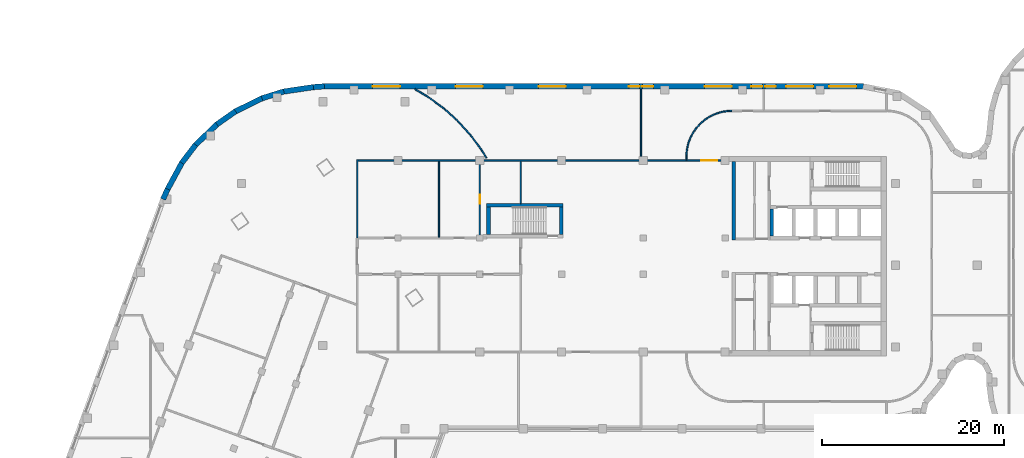
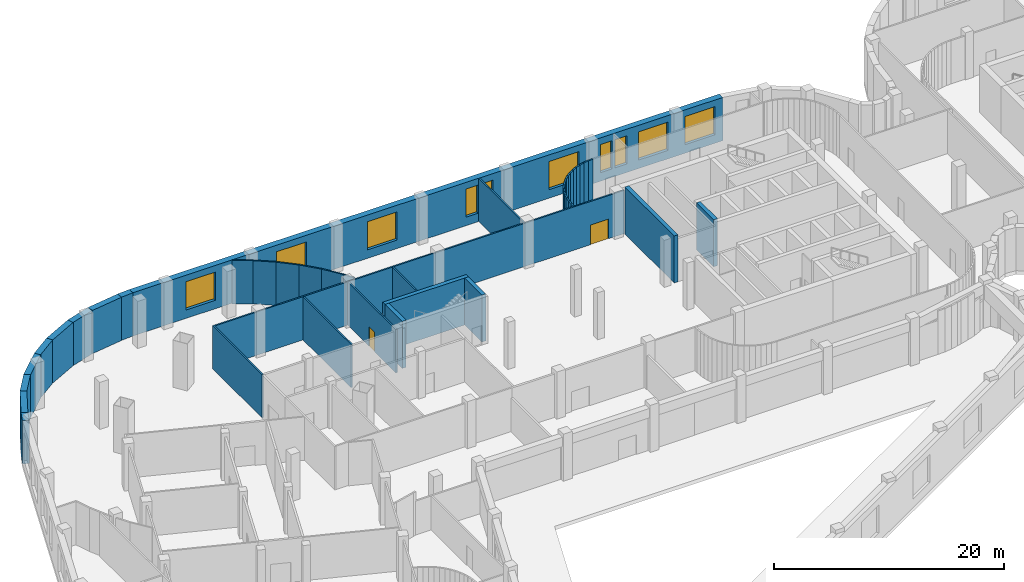
# One storey, part 12 of 20: 44 walls, 10 windows, 2 doors, 12 openings.
"""IFC4 building model written with IfcOpenShell, lengths in metres."""

from ifc_helpers import new_model, si_unit, direction, frame, frame_2d, origin, place, context, subcontext, project, spatial, rectangle, extrude, material, layer, layer_set, type_object, element, fill, save


model = new_model("IFC4")

# Units and contexts
model_context = context("Model", 3, precision=1e-05, world=origin(), true_north=direction((0.0, 1.0)))
body_context = subcontext(model_context, "Body", "Model", "MODEL_VIEW")
ifc_project = project(units=[si_unit("LENGTHUNIT", "METRE"), si_unit("AREAUNIT", "SQUARE_METRE"), si_unit("VOLUMEUNIT", "CUBIC_METRE"), si_unit("PLANEANGLEUNIT", "RADIAN"), si_unit("MASSUNIT", "GRAM", prefix="KILO")], contexts=[model_context])

# Site, building, storey
site_placement = place(None, origin())
site = spatial("IfcSite", under=ifc_project, at=site_placement, CompositionType="ELEMENT")
building_placement = place(site_placement, origin())
building = spatial("IfcBuilding", under=site, at=building_placement, Name="Skarvind Civic Tower", CompositionType="ELEMENT")
storey_placement = place(building_placement, frame((0.0, 0.0, 17.5)))
storey = spatial("IfcBuildingStorey", under=building, at=storey_placement, Name="L03", CompositionType="ELEMENT", Elevation=17.5)

# Walls
ifc_material_1 = material(Name="Concrete C80", Category="concrete")
ifc_layer_1 = layer(ifc_material_1, 0.39990234375)
ifc_layer_set_1 = layer_set([ifc_layer_1], Name="Core wall 400 C80")
wall_type_1 = type_object("IfcWallType", Name="Core wall 400 C80", PredefinedType="SHEAR", material=ifc_layer_set_1)
wall_1_placement = place(storey_placement, frame((95.39990234375, 133.199951171875, 0.0), z_axis=(0.0, 0.0, 1.0), x_axis=(0.0, -1.0, 0.0)))
element("IfcWall", 1, at=wall_1_placement, inside=storey, type_object=wall_type_1, Name="Core wall C1 south lift row division 5 L03", PredefinedType="SHEAR", context=body_context, shape_type="SweptSolid", body=[
    extrude(rectangle(XDim=3.0, YDim=0.39990234375, at=frame_2d((1.5, 0.0))), origin(), (0.0, 0.0, 1.0), 5.0),
])
wall_2_placement = place(storey_placement, frame((91.199951171875, 138.39990234375, 0.0), z_axis=(0.0, 0.0, 1.0), x_axis=(0.0, -1.0, 0.0)))
element("IfcWall", 2, at=wall_2_placement, inside=storey, type_object=wall_type_1, Name="Core wall C1 south inner face L03", PredefinedType="SHEAR", context=body_context, shape_type="SweptSolid", body=[
    extrude(rectangle(XDim=8.599853515625, YDim=0.39990234375, at=frame_2d((4.2998046875, 0.0))), origin(), (0.0, 0.0, 1.0), 5.0),
])
wall_3_placement = place(storey_placement, frame((64.0, 133.60009765625, 0.0), z_axis=(0.0, 0.0, 1.0), x_axis=(1.0, 0.0, 0.0)))
element("IfcWall", 3, at=wall_3_placement, inside=storey, type_object=wall_type_1, Name="Core wall CM outer L03", PredefinedType="SHEAR", context=body_context, shape_type="SweptSolid", body=[
    extrude(rectangle(XDim=8.39990234375, YDim=0.39990234375, at=frame_2d((4.199951171875, 0.0))), origin(), (0.0, 0.0, 1.0), 5.0),
])
for number, where, z_axis, x_axis, name in (
    (4, (64.199951171875, 130.39990234375, 0.0), (0.0, 0.0, 1.0), (0.0, 1.0, 0.0), "Core wall CM west L03"),
    (5, (72.199951171875, 130.39990234375, 0.0), (0.0, 0.0, 1.0), (0.0, 1.0, 0.0), "Core wall CM end L03"),
):
    element("IfcWall", number, at=place(storey_placement, frame(where, z_axis=z_axis, x_axis=x_axis)), inside=storey, type_object=wall_type_1, Name=name, PredefinedType="SHEAR", context=body_context, shape_type="SweptSolid", body=[
        extrude(rectangle(XDim=3.0, YDim=0.39990234375, at=frame_2d((1.5, 0.0))), origin(), (0.0, 0.0, 1.0), 5.0),
    ])
ifc_material_2 = material(Name="Plasterboard partition on steel studs", Category="steel")
ifc_layer_2 = layer(ifc_material_2, 0.14990234375)
ifc_layer_set_2 = layer_set([ifc_layer_2], Name="PARTITION 150")
wall_type_2 = type_object("IfcWallType", Name="PARTITION 150", PredefinedType="PARTITIONING", material=ifc_layer_set_2)
wall_4_placement = place(storey_placement, frame((49.75, 130.0, 0.0), z_axis=(0.0, 0.0, 1.0), x_axis=(0.0, 1.0, 0.0)))
element("IfcWall", 6, at=wall_4_placement, inside=storey, type_object=wall_type_2, Name="Podium partition L03 112", PredefinedType="PARTITIONING", context=body_context, shape_type="SweptSolid", body=[
    extrude(rectangle(XDim=8.625, YDim=0.14990234375, at=frame_2d((4.3125, 0.0))), origin(), (0.0, 0.0, 1.0), 4.60009765625),
])

# Wall, opening, door
wall_5_placement = place(storey_placement, frame((49.824951171875, 138.550048828125, 0.0), z_axis=(0.0, 0.0, 1.0), x_axis=(1.0, 0.0, 0.0)))
wall_5 = element("IfcWall", 7, at=wall_5_placement, inside=storey, type_object=wall_type_2, Name="Podium partition L03 114", PredefinedType="PARTITIONING", context=body_context, shape_type="SweptSolid", body=[
    extrude(rectangle(XDim=41.175048828125, YDim=0.14990234375, at=frame_2d((20.58740234375, 0.0))), origin(), (0.0, 0.0, 1.0), 4.60009765625),
])
opening_1_placement = place(wall_5_placement, frame((37.77490234375, 0.0, 0.0)))
opening_1 = element("IfcOpeningElement", 8, at=opening_1_placement, cuts=wall_5, Name="Opening L03-D225", PredefinedType="OPENING", context=body_context, shape_type="SweptSolid", body=[
    extrude(rectangle(XDim=1.800048828125, YDim=2.10009765625, at=frame_2d((0.89990234375, 1.050048828125))), frame((0.0, 0.0849609375, 0.0), z_axis=(0.0, -1.0, 0.0), x_axis=(1.0, 0.0, 0.0)), (0.0, 0.0, 1.0), 0.169921875),
])
ifc_material_3 = material(Name="Timber veneer door leaf", Category="wood")
door_type_1 = type_object("IfcDoorType", Name="DOOR 1800X2100 DOUBLE TIMBER", OperationType="NOTDEFINED", PredefinedType="DOOR", material=ifc_material_3)
door_1_placement = place(opening_1_placement, origin())
door_1 = element("IfcDoor", 9, at=door_1_placement, inside=storey, type_object=door_type_1, Name="DOOR DOOR", OperationType="DOUBLE_DOOR_SINGLE_SWING", OverallHeight=2.10009765625, OverallWidth=1.800048828125, PredefinedType="DOOR", context=body_context, shape_type="SweptSolid", body=[
    extrude(rectangle(XDim=1.800048828125, YDim=2.10009765625, at=frame_2d((0.89990234375, 1.050048828125))), frame((0.0, 0.02490234375, 0.0), z_axis=(0.0, -1.0, 0.0), x_axis=(1.0, 0.0, 0.0)), (0.0, 0.0, 1.0), 0.050048828125),
])
fill(opening_1, door_1)

# Walls
wall_6_placement = place(storey_placement, frame((56.10009765625, 146.39990234375, 0.0), z_axis=(0.0, 0.0, 1.0), x_axis=(0.857728238456, -0.514103364076, 0.0)))
element("IfcWall", 10, at=wall_6_placement, inside=storey, type_object=wall_type_2, Name="Podium partition L03 130", PredefinedType="PARTITIONING", context=body_context, shape_type="SweptSolid", body=[
    extrude(rectangle(XDim=1.830322265625, YDim=0.14990234375, at=frame_2d((0.9150390625, 0.0))), origin(), (0.0, 0.0, 1.0), 4.60009765625),
])
wall_7_placement = place(storey_placement, frame((57.6640625, 145.462890625, 0.0), z_axis=(0.0, 0.0, 1.0), x_axis=(0.80317638599, -0.595741297031, 0.0)))
element("IfcWall", 11, at=wall_7_placement, inside=storey, type_object=wall_type_2, Name="Podium partition L03 131", PredefinedType="PARTITIONING", context=body_context, shape_type="SweptSolid", body=[
    extrude(rectangle(XDim=2.06787109375, YDim=0.14990234375, at=frame_2d((1.033935546875, 0.0))), origin(), (0.0, 0.0, 1.0), 4.60009765625),
])
wall_8_placement = place(storey_placement, frame((58.75, 130.10009765625, 0.0), z_axis=(0.0, 0.0, 1.0), x_axis=(0.0, 1.0, 0.0)))
element("IfcWall", 12, at=wall_8_placement, inside=storey, type_object=wall_type_2, Name="Podium partition L03 133", PredefinedType="PARTITIONING", context=body_context, shape_type="SweptSolid", body=[
    extrude(rectangle(XDim=8.375, YDim=0.14990234375, at=frame_2d((4.1875, 0.0))), origin(), (0.0, 0.0, 1.0), 4.60009765625),
])
for number, where, z_axis, x_axis, name in (
    (13, (59.319091796875, 144.235107421875, 0.0), (0.0, 0.0, 1.0), (0.741242052621, -0.671237826278, 0.0), "Podium partition L03 135"),
    (14, (60.846923828125, 142.85205078125, 0.0), (0.0, 0.0, 1.0), (0.671237826278, -0.741242052621, 0.0), "Podium partition L03 136"),
):
    element("IfcWall", number, at=place(storey_placement, frame(where, z_axis=z_axis, x_axis=x_axis)), inside=storey, type_object=wall_type_2, Name=name, PredefinedType="PARTITIONING", context=body_context, shape_type="SweptSolid", body=[
        extrude(rectangle(XDim=2.068115234375, YDim=0.14990234375, at=frame_2d((1.0341796875, 0.0))), origin(), (0.0, 0.0, 1.0), 4.60009765625),
    ])
wall_9_placement = place(storey_placement, frame((62.23095703125, 141.324951171875, 0.0), z_axis=(0.0, 0.0, 1.0), x_axis=(0.595741297031, -0.80317638599, 0.0)))
element("IfcWall", 15, at=wall_9_placement, inside=storey, type_object=wall_type_2, Name="Podium partition L03 137", PredefinedType="PARTITIONING", context=body_context, shape_type="SweptSolid", body=[
    extrude(rectangle(XDim=2.06787109375, YDim=0.14990234375, at=frame_2d((1.033935546875, 0.0))), origin(), (0.0, 0.0, 1.0), 4.60009765625),
])

# Wall, opening, door
wall_10_placement = place(storey_placement, frame((63.25, 130.10009765625, 0.0), z_axis=(0.0, 0.0, 1.0), x_axis=(0.0, 1.0, 0.0)))
wall_10 = element("IfcWall", 16, at=wall_10_placement, inside=storey, type_object=wall_type_2, Name="Podium partition L03 138", PredefinedType="PARTITIONING", context=body_context, shape_type="SweptSolid", body=[
    extrude(rectangle(XDim=8.375, YDim=0.14990234375, at=frame_2d((4.1875, 0.0))), origin(), (0.0, 0.0, 1.0), 4.60009765625),
])
opening_2_placement = place(wall_10_placement, frame((3.675048828125, 0.0, 0.0)))
opening_2 = element("IfcOpeningElement", 17, at=opening_2_placement, cuts=wall_10, Name="Opening L03-D220", PredefinedType="OPENING", context=body_context, shape_type="SweptSolid", body=[
    extrude(rectangle(XDim=1.0, YDim=2.10009765625, at=frame_2d((0.5, 1.050048828125))), frame((0.0, 0.0849609375, 0.0), z_axis=(0.0, -1.0, 0.0), x_axis=(1.0, 0.0, 0.0)), (0.0, 0.0, 1.0), 0.169921875),
])
door_type_2 = type_object("IfcDoorType", Name="DOOR 1000X2100 TIMBER", OperationType="NOTDEFINED", PredefinedType="DOOR", material=ifc_material_3)
door_2_placement = place(opening_2_placement, origin())
door_2 = element("IfcDoor", 18, at=door_2_placement, inside=storey, type_object=door_type_2, Name="DOOR DOOR", OperationType="SINGLE_SWING_LEFT", OverallHeight=2.10009765625, OverallWidth=1.0, PredefinedType="DOOR", context=body_context, shape_type="SweptSolid", body=[
    extrude(rectangle(XDim=1.0, YDim=2.10009765625, at=frame_2d((0.5, 1.050048828125))), frame((0.0, 0.02490234375, 0.0), z_axis=(0.0, -1.0, 0.0), x_axis=(1.0, 0.0, 0.0)), (0.0, 0.0, 1.0), 0.050048828125),
])
fill(opening_2, door_2)

# Walls
wall_11_placement = place(storey_placement, frame((63.458984375, 139.669921875, 0.0), z_axis=(0.0, 0.0, 1.0), x_axis=(0.514106720628, -0.857726226604, 0.0)))
element("IfcWall", 19, at=wall_11_placement, inside=storey, type_object=wall_type_2, Name="Podium partition L03 139", PredefinedType="PARTITIONING", context=body_context, shape_type="SweptSolid", body=[
    extrude(rectangle(XDim=1.015380859375, YDim=0.14990234375, at=frame_2d((0.5078125, 0.0))), origin(), (0.0, 0.0, 1.0), 4.60009765625),
])
wall_12_placement = place(storey_placement, frame((67.75, 133.800048828125, 0.0), z_axis=(0.0, 0.0, 1.0), x_axis=(0.0, 1.0, 0.0)))
element("IfcWall", 20, at=wall_12_placement, inside=storey, type_object=wall_type_2, Name="Podium partition L03 146", PredefinedType="PARTITIONING", context=body_context, shape_type="SweptSolid", body=[
    extrude(rectangle(XDim=4.675048828125, YDim=0.14990234375, at=frame_2d((2.33740234375, 0.0))), origin(), (0.0, 0.0, 1.0), 4.60009765625),
])
wall_13_placement = place(storey_placement, frame((81.0, 138.625, 0.0), z_axis=(0.0, 0.0, 1.0), x_axis=(0.0, 1.0, 0.0)))
element("IfcWall", 21, at=wall_13_placement, inside=storey, type_object=wall_type_2, Name="Podium partition L03 150", PredefinedType="PARTITIONING", context=body_context, shape_type="SweptSolid", body=[
    extrude(rectangle(XDim=7.77490234375, YDim=0.14990234375, at=frame_2d((3.887451171875, 0.0))), origin(), (0.0, 0.0, 1.0), 4.60009765625),
])
wall_14_placement = place(storey_placement, frame((86.0, 138.625, 0.0), z_axis=(0.0, 0.0, 1.0), x_axis=(0.0, 1.0, 0.0)))
element("IfcWall", 22, at=wall_14_placement, inside=storey, type_object=wall_type_2, Name="Podium partition L03 153", PredefinedType="PARTITIONING", context=body_context, shape_type="SweptSolid", body=[
    extrude(rectangle(XDim=0.376953125, YDim=0.14990234375, at=frame_2d((0.1884765625, 0.0))), origin(), (0.0, 0.0, 1.0), 4.60009765625),
])
wall_15_placement = place(storey_placement, frame((86.0, 138.998046875, 0.0), z_axis=(0.0, 0.0, 1.0), x_axis=(0.048196018647, 0.998837896651, 0.0)))
element("IfcWall", 23, at=wall_15_placement, inside=storey, type_object=wall_type_2, Name="Podium partition L03 154", PredefinedType="PARTITIONING", context=body_context, shape_type="SweptSolid", body=[
    extrude(rectangle(XDim=0.496337890625, YDim=0.14990234375, at=frame_2d((0.248046875, 0.0))), origin(), (0.0, 0.0, 1.0), 4.60009765625),
])
wall_16_placement = place(storey_placement, frame((86.02294921875, 139.486083984375, 0.0), z_axis=(0.0, 0.0, 1.0), x_axis=(0.148412307247, 0.988925572052, 0.0)))
element("IfcWall", 24, at=wall_16_placement, inside=storey, type_object=wall_type_2, Name="Podium partition L03 156", PredefinedType="PARTITIONING", context=body_context, shape_type="SweptSolid", body=[
    extrude(rectangle(XDim=0.49853515625, YDim=0.14990234375, at=frame_2d((0.249267578125, 0.0))), origin(), (0.0, 0.0, 1.0), 4.60009765625),
])
wall_17_placement = place(storey_placement, frame((86.094970703125, 139.970947265625, 0.0), z_axis=(0.0, 0.0, 1.0), x_axis=(0.242650732785, 0.970113715952, 0.0)))
element("IfcWall", 25, at=wall_17_placement, inside=storey, type_object=wall_type_2, Name="Podium partition L03 158", PredefinedType="PARTITIONING", context=body_context, shape_type="SweptSolid", body=[
    extrude(rectangle(XDim=0.4990234375, YDim=0.14990234375, at=frame_2d((0.24951171875, 0.0))), origin(), (0.0, 0.0, 1.0), 4.60009765625),
])
for number, where, z_axis, x_axis, name in (
    (26, (86.214111328125, 140.447021484375, 0.0), (0.0, 0.0, 1.0), (0.3371744988, 0.941442168887, 0.0), "Podium partition L03 160"),
    (27, (86.37890625, 140.909912109375, 0.0), (0.0, 0.0, 1.0), (0.427896709028, 0.903827641978, 0.0), "Podium partition L03 162"),
):
    element("IfcWall", number, at=place(storey_placement, frame(where, z_axis=z_axis, x_axis=x_axis)), inside=storey, type_object=wall_type_2, Name=name, PredefinedType="PARTITIONING", context=body_context, shape_type="SweptSolid", body=[
        extrude(rectangle(XDim=0.498046875, YDim=0.14990234375, at=frame_2d((0.2490234375, 0.0))), origin(), (0.0, 0.0, 1.0), 4.60009765625),
    ])
wall_18_placement = place(storey_placement, frame((86.587890625, 141.35400390625, 0.0), z_axis=(0.0, 0.0, 1.0), x_axis=(0.515791778052, 0.85671397893, 0.0)))
element("IfcWall", 28, at=wall_18_placement, inside=storey, type_object=wall_type_2, Name="Podium partition L03 164", PredefinedType="PARTITIONING", context=body_context, shape_type="SweptSolid", body=[
    extrude(rectangle(XDim=0.49853515625, YDim=0.14990234375, at=frame_2d((0.249267578125, 0.0))), origin(), (0.0, 0.0, 1.0), 4.60009765625),
])
wall_19_placement = place(storey_placement, frame((86.841064453125, 141.77490234375, 0.0), z_axis=(0.0, 0.0, 1.0), x_axis=(0.594570362092, 0.80404358372, 0.0)))
element("IfcWall", 29, at=wall_19_placement, inside=storey, type_object=wall_type_2, Name="Podium partition L03 166", PredefinedType="PARTITIONING", context=body_context, shape_type="SweptSolid", body=[
    extrude(rectangle(XDim=0.49755859375, YDim=0.14990234375, at=frame_2d((0.248779296875, 0.0))), origin(), (0.0, 0.0, 1.0), 4.60009765625),
])
for number, where, z_axis, x_axis, name in (
    (30, (87.133056640625, 142.1689453125, 0.0), (0.0, 0.0, 1.0), (0.66993818776, 0.742416880587, 0.0), "Podium partition L03 168"),
    (31, (87.4609375, 142.532958984375, 0.0), (0.0, 0.0, 1.0), (0.742416880587, 0.66993818776, 0.0), "Podium partition L03 170"),
):
    element("IfcWall", number, at=place(storey_placement, frame(where, z_axis=z_axis, x_axis=x_axis)), inside=storey, type_object=wall_type_2, Name=name, PredefinedType="PARTITIONING", context=body_context, shape_type="SweptSolid", body=[
        extrude(rectangle(XDim=0.49853515625, YDim=0.14990234375, at=frame_2d((0.249267578125, 0.0))), origin(), (0.0, 0.0, 1.0), 4.60009765625),
    ])
wall_20_placement = place(storey_placement, frame((87.824951171875, 142.863037109375, 0.0), z_axis=(0.0, 0.0, 1.0), x_axis=(0.80404358372, 0.594570362092, 0.0)))
element("IfcWall", 32, at=wall_20_placement, inside=storey, type_object=wall_type_2, Name="Podium partition L03 172", PredefinedType="PARTITIONING", context=body_context, shape_type="SweptSolid", body=[
    extrude(rectangle(XDim=0.49755859375, YDim=0.14990234375, at=frame_2d((0.248779296875, 0.0))), origin(), (0.0, 0.0, 1.0), 4.60009765625),
])
wall_21_placement = place(storey_placement, frame((88.218994140625, 143.155029296875, 0.0), z_axis=(0.0, 0.0, 1.0), x_axis=(0.85671397893, 0.515791778052, 0.0)))
element("IfcWall", 33, at=wall_21_placement, inside=storey, type_object=wall_type_2, Name="Podium partition L03 174", PredefinedType="PARTITIONING", context=body_context, shape_type="SweptSolid", body=[
    extrude(rectangle(XDim=0.49853515625, YDim=0.14990234375, at=frame_2d((0.249267578125, 0.0))), origin(), (0.0, 0.0, 1.0), 4.60009765625),
])
for number, where, z_axis, x_axis, name in (
    (34, (88.639892578125, 143.407958984375, 0.0), (0.0, 0.0, 1.0), (0.903827641978, 0.427896709028, 0.0), "Podium partition L03 176"),
    (35, (89.083984375, 143.617919921875, 0.0), (0.0, 0.0, 1.0), (0.941442168887, 0.3371744988, 0.0), "Podium partition L03 178"),
):
    element("IfcWall", number, at=place(storey_placement, frame(where, z_axis=z_axis, x_axis=x_axis)), inside=storey, type_object=wall_type_2, Name=name, PredefinedType="PARTITIONING", context=body_context, shape_type="SweptSolid", body=[
        extrude(rectangle(XDim=0.498046875, YDim=0.14990234375, at=frame_2d((0.2490234375, 0.0))), origin(), (0.0, 0.0, 1.0), 4.60009765625),
    ])
wall_22_placement = place(storey_placement, frame((89.544921875, 143.783935546875, 0.0), z_axis=(0.0, 0.0, 1.0), x_axis=(0.970113715952, 0.242650732785, 0.0)))
element("IfcWall", 36, at=wall_22_placement, inside=storey, type_object=wall_type_2, Name="Podium partition L03 180", PredefinedType="PARTITIONING", context=body_context, shape_type="SweptSolid", body=[
    extrude(rectangle(XDim=0.4990234375, YDim=0.14990234375, at=frame_2d((0.24951171875, 0.0))), origin(), (0.0, 0.0, 1.0), 4.60009765625),
])
wall_23_placement = place(storey_placement, frame((90.02099609375, 143.903076171875, 0.0), z_axis=(0.0, 0.0, 1.0), x_axis=(0.988925572052, 0.148412307247, 0.0)))
element("IfcWall", 37, at=wall_23_placement, inside=storey, type_object=wall_type_2, Name="Podium partition L03 182", PredefinedType="PARTITIONING", context=body_context, shape_type="SweptSolid", body=[
    extrude(rectangle(XDim=0.49853515625, YDim=0.14990234375, at=frame_2d((0.249267578125, 0.0))), origin(), (0.0, 0.0, 1.0), 4.60009765625),
])
wall_24_placement = place(storey_placement, frame((90.506103515625, 143.97607421875, 0.0), z_axis=(0.0, 0.0, 1.0), x_axis=(0.998837896651, 0.048196018647, 0.0)))
element("IfcWall", 38, at=wall_24_placement, inside=storey, type_object=wall_type_2, Name="Podium partition L03 184", PredefinedType="PARTITIONING", context=body_context, shape_type="SweptSolid", body=[
    extrude(rectangle(XDim=0.496337890625, YDim=0.14990234375, at=frame_2d((0.248046875, 0.0))), origin(), (0.0, 0.0, 1.0), 4.60009765625),
])

# Wall, openings, windows
ifc_material_4 = material(Name="Limestone masonry cladding on insulated backing", Category="masonry")
ifc_layer_3 = layer(ifc_material_4, 0.60009765625)
ifc_layer_set_3 = layer_set([ifc_layer_3], Name="WX1 STONE FACADE WALL 600")
wall_type_3 = type_object("IfcWallType", Name="WX1 STONE FACADE WALL 600", PredefinedType="SOLIDWALL", material=ifc_layer_set_3)
wall_25_placement = place(storey_placement, frame((46.114013671875, 146.699951171875, 0.0), z_axis=(0.0, 0.0, 1.0), x_axis=(1.0, 0.0, 0.0)))
wall_25 = element("IfcWall", 39, at=wall_25_placement, inside=storey, type_object=wall_type_3, Name="STONE FACADE WALL", PredefinedType="SOLIDWALL", context=body_context, shape_type="SweptSolid", body=[
    extrude(rectangle(XDim=59.3642578125, YDim=0.60009765625, at=frame_2d((29.68212890625, 0.0))), origin(), (0.0, 0.0, 1.0), 4.60009765625),
])
opening_3_placement = place(wall_25_placement, frame((5.349609375, 0.0, 0.89990234375)))
opening_3 = element("IfcOpeningElement", 40, at=opening_3_placement, cuts=wall_25, Name="Opening WN2", PredefinedType="OPENING", context=body_context, shape_type="SweptSolid", body=[
    extrude(rectangle(XDim=3.0, YDim=3.0, at=frame_2d((1.5, 1.5))), frame((0.0, 0.31005859375, 0.0), z_axis=(0.0, -1.0, 0.0), x_axis=(1.0, 0.0, 0.0)), (0.0, 0.0, 1.0), 0.6201171875),
])
opening_4_placement = place(wall_25_placement, frame((14.482666015625, 0.0, 0.89990234375)))
opening_4 = element("IfcOpeningElement", 41, at=opening_4_placement, cuts=wall_25, Name="Opening WN2", PredefinedType="OPENING", context=body_context, shape_type="SweptSolid", body=[
    extrude(rectangle(XDim=3.0, YDim=3.0, at=frame_2d((1.5, 1.5))), frame((0.0, 0.31005859375, 0.0), z_axis=(0.0, -1.0, 0.0), x_axis=(1.0, 0.0, 0.0)), (0.0, 0.0, 1.0), 0.6201171875),
])
opening_5_placement = place(wall_25_placement, frame((23.615478515625, 0.0, 0.89990234375)))
opening_5 = element("IfcOpeningElement", 42, at=opening_5_placement, cuts=wall_25, Name="Opening WN2", PredefinedType="OPENING", context=body_context, shape_type="SweptSolid", body=[
    extrude(rectangle(XDim=3.0, YDim=3.0, at=frame_2d((1.5, 1.5))), frame((0.0, 0.31005859375, 0.0), z_axis=(0.0, -1.0, 0.0), x_axis=(1.0, 0.0, 0.0)), (0.0, 0.0, 1.0), 0.6201171875),
])
opening_6_placement = place(wall_25_placement, frame((33.5361328125, 0.0, 0.89990234375)))
opening_6 = element("IfcOpeningElement", 43, at=opening_6_placement, cuts=wall_25, Name="Opening WN6", PredefinedType="OPENING", context=body_context, shape_type="SweptSolid", body=[
    extrude(rectangle(XDim=1.199951171875, YDim=3.0, at=frame_2d((0.60009765625, 1.5))), frame((0.0, 0.31005859375, 0.0), z_axis=(0.0, -1.0, 0.0), x_axis=(1.0, 0.0, 0.0)), (0.0, 0.0, 1.0), 0.6201171875),
])
opening_7_placement = place(wall_25_placement, frame((35.0361328125, 0.0, 0.89990234375)))
opening_7 = element("IfcOpeningElement", 44, at=opening_7_placement, cuts=wall_25, Name="Opening WN6", PredefinedType="OPENING", context=body_context, shape_type="SweptSolid", body=[
    extrude(rectangle(XDim=1.199951171875, YDim=3.0, at=frame_2d((0.60009765625, 1.5))), frame((0.0, 0.31005859375, 0.0), z_axis=(0.0, -1.0, 0.0), x_axis=(1.0, 0.0, 0.0)), (0.0, 0.0, 1.0), 0.6201171875),
])
opening_8_placement = place(wall_25_placement, frame((41.881591796875, 0.0, 0.89990234375)))
opening_8 = element("IfcOpeningElement", 45, at=opening_8_placement, cuts=wall_25, Name="Opening WN2", PredefinedType="OPENING", context=body_context, shape_type="SweptSolid", body=[
    extrude(rectangle(XDim=3.0, YDim=3.0, at=frame_2d((1.5, 1.5))), frame((0.0, 0.31005859375, 0.0), z_axis=(0.0, -1.0, 0.0), x_axis=(1.0, 0.0, 0.0)), (0.0, 0.0, 1.0), 0.6201171875),
])
opening_9_placement = place(wall_25_placement, frame((47.0361328125, 0.0, 0.89990234375)))
opening_9 = element("IfcOpeningElement", 46, at=opening_9_placement, cuts=wall_25, Name="Opening WN6", PredefinedType="OPENING", context=body_context, shape_type="SweptSolid", body=[
    extrude(rectangle(XDim=1.199951171875, YDim=3.0, at=frame_2d((0.60009765625, 1.5))), frame((0.0, 0.31005859375, 0.0), z_axis=(0.0, -1.0, 0.0), x_axis=(1.0, 0.0, 0.0)), (0.0, 0.0, 1.0), 0.6201171875),
])
opening_10_placement = place(wall_25_placement, frame((48.5361328125, 0.0, 0.89990234375)))
opening_10 = element("IfcOpeningElement", 47, at=opening_10_placement, cuts=wall_25, Name="Opening WN6", PredefinedType="OPENING", context=body_context, shape_type="SweptSolid", body=[
    extrude(rectangle(XDim=1.199951171875, YDim=3.0, at=frame_2d((0.60009765625, 1.5))), frame((0.0, 0.31005859375, 0.0), z_axis=(0.0, -1.0, 0.0), x_axis=(1.0, 0.0, 0.0)), (0.0, 0.0, 1.0), 0.6201171875),
])
opening_11_placement = place(wall_25_placement, frame((50.864501953125, 0.0, 0.89990234375)))
opening_11 = element("IfcOpeningElement", 48, at=opening_11_placement, cuts=wall_25, Name="Opening WN2", PredefinedType="OPENING", context=body_context, shape_type="SweptSolid", body=[
    extrude(rectangle(XDim=3.0, YDim=3.0, at=frame_2d((1.5, 1.5))), frame((0.0, 0.31005859375, 0.0), z_axis=(0.0, -1.0, 0.0), x_axis=(1.0, 0.0, 0.0)), (0.0, 0.0, 1.0), 0.6201171875),
])
opening_12_placement = place(wall_25_placement, frame((55.5810546875, 0.0, 0.89990234375)))
opening_12 = element("IfcOpeningElement", 49, at=opening_12_placement, cuts=wall_25, Name="Opening WN2", PredefinedType="OPENING", context=body_context, shape_type="SweptSolid", body=[
    extrude(rectangle(XDim=3.0, YDim=3.0, at=frame_2d((1.5, 1.5))), frame((0.0, 0.31005859375, 0.0), z_axis=(0.0, -1.0, 0.0), x_axis=(1.0, 0.0, 0.0)), (0.0, 0.0, 1.0), 0.6201171875),
])
ifc_material_5 = material(Name="Timber frame, double glazing, timber-lined reveal", Category="wood")
window_type_1 = type_object("IfcWindowType", Name="WN2 PODIUM STONE WINDOW 3000 x 3000", PartitioningType="SINGLE_PANEL", PredefinedType="WINDOW", material=ifc_material_5)
window_1_placement = place(opening_3_placement, origin())
window_1 = element("IfcWindow", 50, at=window_1_placement, inside=storey, type_object=window_type_1, Name="WN2 WINDOW", OverallHeight=3.0, OverallWidth=3.0, PartitioningType="SINGLE_PANEL", PredefinedType="WINDOW", context=body_context, shape_type="SweptSolid", body=[
    extrude(rectangle(XDim=3.0, YDim=3.0, at=frame_2d((1.5, 1.5))), frame((0.0, 0.030029296875, 0.0), z_axis=(0.0, -1.0, 0.0), x_axis=(1.0, 0.0, 0.0)), (0.0, 0.0, 1.0), 0.06005859375),
])
fill(opening_3, window_1)
window_2_placement = place(opening_4_placement, origin())
window_2 = element("IfcWindow", 51, at=window_2_placement, inside=storey, type_object=window_type_1, Name="WN2 WINDOW", OverallHeight=3.0, OverallWidth=3.0, PartitioningType="SINGLE_PANEL", PredefinedType="WINDOW", context=body_context, shape_type="SweptSolid", body=[
    extrude(rectangle(XDim=3.0, YDim=3.0, at=frame_2d((1.5, 1.5))), frame((0.0, 0.030029296875, 0.0), z_axis=(0.0, -1.0, 0.0), x_axis=(1.0, 0.0, 0.0)), (0.0, 0.0, 1.0), 0.06005859375),
])
fill(opening_4, window_2)
window_3_placement = place(opening_5_placement, origin())
window_3 = element("IfcWindow", 52, at=window_3_placement, inside=storey, type_object=window_type_1, Name="WN2 WINDOW", OverallHeight=3.0, OverallWidth=3.0, PartitioningType="SINGLE_PANEL", PredefinedType="WINDOW", context=body_context, shape_type="SweptSolid", body=[
    extrude(rectangle(XDim=3.0, YDim=3.0, at=frame_2d((1.5, 1.5))), frame((0.0, 0.030029296875, 0.0), z_axis=(0.0, -1.0, 0.0), x_axis=(1.0, 0.0, 0.0)), (0.0, 0.0, 1.0), 0.06005859375),
])
fill(opening_5, window_3)
window_4_placement = place(opening_8_placement, origin())
window_4 = element("IfcWindow", 53, at=window_4_placement, inside=storey, type_object=window_type_1, Name="WN2 WINDOW", OverallHeight=3.0, OverallWidth=3.0, PartitioningType="SINGLE_PANEL", PredefinedType="WINDOW", context=body_context, shape_type="SweptSolid", body=[
    extrude(rectangle(XDim=3.0, YDim=3.0, at=frame_2d((1.5, 1.5))), frame((0.0, 0.030029296875, 0.0), z_axis=(0.0, -1.0, 0.0), x_axis=(1.0, 0.0, 0.0)), (0.0, 0.0, 1.0), 0.06005859375),
])
fill(opening_8, window_4)
window_5_placement = place(opening_11_placement, origin())
window_5 = element("IfcWindow", 54, at=window_5_placement, inside=storey, type_object=window_type_1, Name="WN2 WINDOW", OverallHeight=3.0, OverallWidth=3.0, PartitioningType="SINGLE_PANEL", PredefinedType="WINDOW", context=body_context, shape_type="SweptSolid", body=[
    extrude(rectangle(XDim=3.0, YDim=3.0, at=frame_2d((1.5, 1.5))), frame((0.0, 0.030029296875, 0.0), z_axis=(0.0, -1.0, 0.0), x_axis=(1.0, 0.0, 0.0)), (0.0, 0.0, 1.0), 0.06005859375),
])
fill(opening_11, window_5)
window_6_placement = place(opening_12_placement, origin())
window_6 = element("IfcWindow", 55, at=window_6_placement, inside=storey, type_object=window_type_1, Name="WN2 WINDOW", OverallHeight=3.0, OverallWidth=3.0, PartitioningType="SINGLE_PANEL", PredefinedType="WINDOW", context=body_context, shape_type="SweptSolid", body=[
    extrude(rectangle(XDim=3.0, YDim=3.0, at=frame_2d((1.5, 1.5))), frame((0.0, 0.030029296875, 0.0), z_axis=(0.0, -1.0, 0.0), x_axis=(1.0, 0.0, 0.0)), (0.0, 0.0, 1.0), 0.06005859375),
])
fill(opening_12, window_6)
window_type_2 = type_object("IfcWindowType", Name="WN6 NARROW PODIUM WINDOW 1200 x 3000", PartitioningType="SINGLE_PANEL", PredefinedType="WINDOW", material=ifc_material_5)
window_7_placement = place(opening_6_placement, origin())
window_7 = element("IfcWindow", 56, at=window_7_placement, inside=storey, type_object=window_type_2, Name="WN6 WINDOW", OverallHeight=3.0, OverallWidth=1.199951171875, PartitioningType="SINGLE_PANEL", PredefinedType="WINDOW", context=body_context, shape_type="SweptSolid", body=[
    extrude(rectangle(XDim=1.199951171875, YDim=3.0, at=frame_2d((0.60009765625, 1.5))), frame((0.0, 0.030029296875, 0.0), z_axis=(0.0, -1.0, 0.0), x_axis=(1.0, 0.0, 0.0)), (0.0, 0.0, 1.0), 0.06005859375),
])
fill(opening_6, window_7)
window_8_placement = place(opening_7_placement, origin())
window_8 = element("IfcWindow", 57, at=window_8_placement, inside=storey, type_object=window_type_2, Name="WN6 WINDOW", OverallHeight=3.0, OverallWidth=1.199951171875, PartitioningType="SINGLE_PANEL", PredefinedType="WINDOW", context=body_context, shape_type="SweptSolid", body=[
    extrude(rectangle(XDim=1.199951171875, YDim=3.0, at=frame_2d((0.60009765625, 1.5))), frame((0.0, 0.030029296875, 0.0), z_axis=(0.0, -1.0, 0.0), x_axis=(1.0, 0.0, 0.0)), (0.0, 0.0, 1.0), 0.06005859375),
])
fill(opening_7, window_8)
window_9_placement = place(opening_9_placement, origin())
window_9 = element("IfcWindow", 58, at=window_9_placement, inside=storey, type_object=window_type_2, Name="WN6 WINDOW", OverallHeight=3.0, OverallWidth=1.199951171875, PartitioningType="SINGLE_PANEL", PredefinedType="WINDOW", context=body_context, shape_type="SweptSolid", body=[
    extrude(rectangle(XDim=1.199951171875, YDim=3.0, at=frame_2d((0.60009765625, 1.5))), frame((0.0, 0.030029296875, 0.0), z_axis=(0.0, -1.0, 0.0), x_axis=(1.0, 0.0, 0.0)), (0.0, 0.0, 1.0), 0.06005859375),
])
fill(opening_9, window_9)
window_10_placement = place(opening_10_placement, origin())
window_10 = element("IfcWindow", 59, at=window_10_placement, inside=storey, type_object=window_type_2, Name="WN6 WINDOW", OverallHeight=3.0, OverallWidth=1.199951171875, PartitioningType="SINGLE_PANEL", PredefinedType="WINDOW", context=body_context, shape_type="SweptSolid", body=[
    extrude(rectangle(XDim=1.199951171875, YDim=3.0, at=frame_2d((0.60009765625, 1.5))), frame((0.0, 0.030029296875, 0.0), z_axis=(0.0, -1.0, 0.0), x_axis=(1.0, 0.0, 0.0)), (0.0, 0.0, 1.0), 0.06005859375),
])
fill(opening_10, window_10)

# Walls
wall_26_placement = place(storey_placement, frame((44.922607421875, 146.611083984375, 0.0), z_axis=(0.0, 0.0, 1.0), x_axis=(0.997284700817, 0.073642552354, 0.0)))
element("IfcWall", 60, at=wall_26_placement, inside=storey, type_object=wall_type_3, Name="STONE FACADE WALL", PredefinedType="SOLIDWALL", context=body_context, shape_type="SweptSolid", body=[
    extrude(rectangle(XDim=1.216796875, YDim=0.60009765625, at=frame_2d((0.6083984375, 0.0))), origin(), (0.0, 0.0, 1.0), 4.60009765625),
])
wall_27_placement = place(storey_placement, frame((41.63232421875, 146.120849609375, 0.0), z_axis=(0.0, 0.0, 1.0), x_axis=(0.989117960185, 0.14712464389, 0.0)))
element("IfcWall", 61, at=wall_27_placement, inside=storey, type_object=wall_type_3, Name="STONE FACADE WALL", PredefinedType="SOLIDWALL", context=body_context, shape_type="SweptSolid", body=[
    extrude(rectangle(XDim=3.3486328125, YDim=0.60009765625, at=frame_2d((1.67431640625, 0.0))), origin(), (0.0, 0.0, 1.0), 4.60009765625),
])
wall_28_placement = place(storey_placement, frame((39.279541015625, 145.384033203125, 0.0), z_axis=(0.0, 0.0, 1.0), x_axis=(0.954711451083, 0.297533267335, 0.0)))
element("IfcWall", 62, at=wall_28_placement, inside=storey, type_object=wall_type_3, Name="STONE FACADE WALL", PredefinedType="SOLIDWALL", context=body_context, shape_type="SweptSolid", body=[
    extrude(rectangle(XDim=2.51171875, YDim=0.60009765625, at=frame_2d((1.255859375, 0.0))), origin(), (0.0, 0.0, 1.0), 4.60009765625),
])
wall_29_placement = place(storey_placement, frame((36.323486328125, 143.928466796875, 0.0), z_axis=(0.0, 0.0, 1.0), x_axis=(0.897590342017, 0.440830554656, 0.0)))
element("IfcWall", 63, at=wall_29_placement, inside=storey, type_object=wall_type_3, Name="STONE FACADE WALL", PredefinedType="SOLIDWALL", context=body_context, shape_type="SweptSolid", body=[
    extrude(rectangle(XDim=3.34130859375, YDim=0.60009765625, at=frame_2d((1.670654296875, 0.0))), origin(), (0.0, 0.0, 1.0), 4.60009765625),
])
wall_30_placement = place(storey_placement, frame((34.305908203125, 142.511474609375, 0.0), z_axis=(0.0, 0.0, 1.0), x_axis=(0.819136010061, 0.57359933492, 0.0)))
element("IfcWall", 64, at=wall_30_placement, inside=storey, type_object=wall_type_3, Name="STONE FACADE WALL", PredefinedType="SOLIDWALL", context=body_context, shape_type="SweptSolid", body=[
    extrude(rectangle(XDim=2.51171875, YDim=0.60009765625, at=frame_2d((1.255859375, 0.0))), origin(), (0.0, 0.0, 1.0), 4.60009765625),
])
wall_31_placement = place(storey_placement, frame((31.931884765625, 140.226318359375, 0.0), z_axis=(0.0, 0.0, 1.0), x_axis=(0.721175568195, 0.692752336581, 0.0)))
element("IfcWall", 65, at=wall_31_placement, inside=storey, type_object=wall_type_3, Name="STONE FACADE WALL", PredefinedType="SOLIDWALL", context=body_context, shape_type="SweptSolid", body=[
    extrude(rectangle(XDim=3.34130859375, YDim=0.60009765625, at=frame_2d((1.670654296875, 0.0))), origin(), (0.0, 0.0, 1.0), 4.60009765625),
])
wall_32_placement = place(storey_placement, frame((30.440673828125, 138.26318359375, 0.0), z_axis=(0.0, 0.0, 1.0), x_axis=(0.606110577383, 0.795380392004, 0.0)))
element("IfcWall", 66, at=wall_32_placement, inside=storey, type_object=wall_type_3, Name="STONE FACADE WALL", PredefinedType="SOLIDWALL", context=body_context, shape_type="SweptSolid", body=[
    extrude(rectangle(XDim=2.511474609375, YDim=0.60009765625, at=frame_2d((1.255859375, 0.0))), origin(), (0.0, 0.0, 1.0), 4.60009765625),
])
wall_33_placement = place(storey_placement, frame((28.8701171875, 135.35791015625, 0.0), z_axis=(0.0, 0.0, 1.0), x_axis=(0.476510950298, 0.879168535746, 0.0)))
element("IfcWall", 67, at=wall_33_placement, inside=storey, type_object=wall_type_3, Name="STONE FACADE WALL", PredefinedType="SOLIDWALL", context=body_context, shape_type="SweptSolid", body=[
    extrude(rectangle(XDim=3.3486328125, YDim=0.60009765625, at=frame_2d((1.67431640625, 0.0))), origin(), (0.0, 0.0, 1.0), 4.60009765625),
])
wall_34_placement = place(storey_placement, frame((28.380615234375, 134.268310546875, 0.0), z_axis=(0.0, 0.0, 1.0), x_axis=(0.410322962362, 0.911940275763, 0.0)))
element("IfcWall", 68, at=wall_34_placement, inside=storey, type_object=wall_type_3, Name="STONE FACADE WALL", PredefinedType="SOLIDWALL", context=body_context, shape_type="SweptSolid", body=[
    extrude(rectangle(XDim=1.216796875, YDim=0.60009765625, at=frame_2d((0.6083984375, 0.0))), origin(), (0.0, 0.0, 1.0), 4.60009765625),
])

save(model, "model.ifc")
